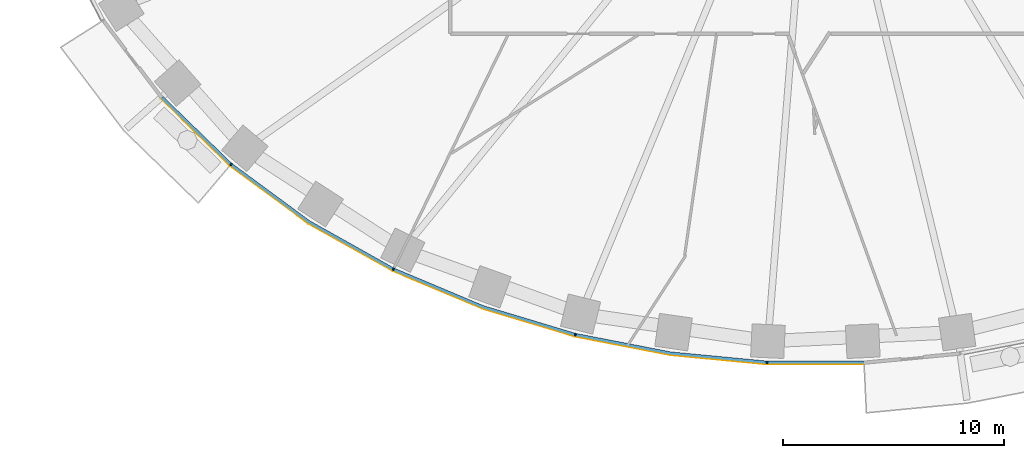
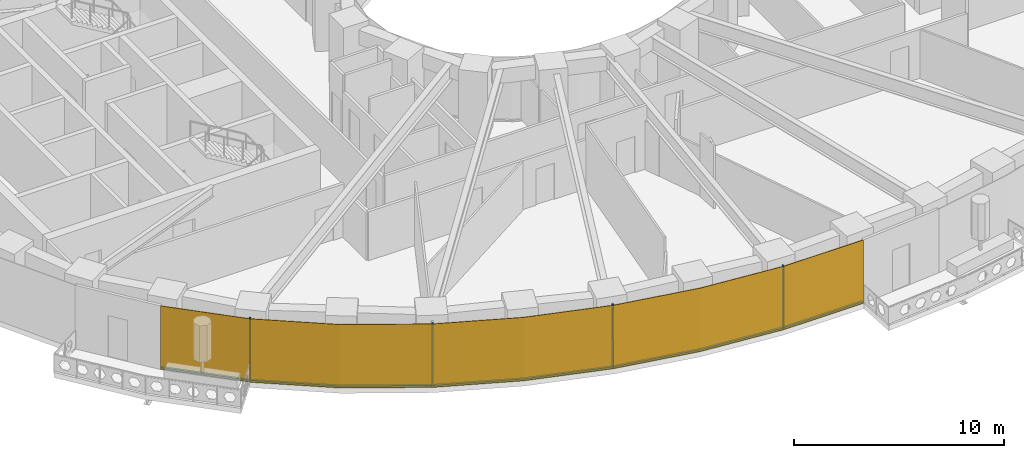
# One storey, part 8 of 16: 9 members, 1 curtain wall.
"""IFC4 building model written with IfcOpenShell, lengths in metres."""

from ifc_helpers import new_model, si_unit, direction, frame, origin, origin_2d, place, context, subcontext, project, spatial, polyline, rectangle, outline, extrude, material, layer, layer_set, material_profile, profile_set, type_object, element, aggregate, save


model = new_model("IFC4")

# Units and contexts
model_context = context("Model", 3, precision=1e-05, world=origin(), true_north=direction((0.0, 1.0)))
body_context = subcontext(model_context, "Body", "Model", "MODEL_VIEW")
ifc_project = project(units=[si_unit("LENGTHUNIT", "METRE"), si_unit("AREAUNIT", "SQUARE_METRE"), si_unit("VOLUMEUNIT", "CUBIC_METRE"), si_unit("PLANEANGLEUNIT", "RADIAN"), si_unit("MASSUNIT", "GRAM", prefix="KILO")], contexts=[model_context])

# Member
ifc_material_1 = material(Name="Aluminium 6063-T6 black anodised", Category="aluminium")
ifc_material_profile = material_profile(ifc_material_1, rectangle(XDim=0.1201171875, YDim=0.06005859375, at=origin_2d()), Name="120x60")
ifc_profile_set = profile_set([ifc_material_profile], Name="Aluminium 6063-T6 black anodised")
member_type_1 = type_object("IfcMemberType", Name="ENV-MULLION-A-120", PredefinedType="MULLION", material=ifc_profile_set)
site_placement = place(None, origin())
building_placement = place(site_placement, origin())
storey_placement = place(building_placement, frame((0.0, 0.0, 54.5)))
member_1_placement = place(storey_placement, frame((-26.403564453125, -18.9130859375, 0.0), z_axis=(0.0, 0.0, 1.0), x_axis=(0.646451313783, 0.762955240435, 0.0)))
member_1 = element("IfcMember", 1, at=member_1_placement, type_object=member_type_1, Name="Mullion A radial 29", PredefinedType="MULLION", context=body_context, shape_type="SweptSolid", body=[
    extrude(rectangle(XDim=0.1201171875, YDim=0.06005859375, at=origin_2d()), origin(), (0.0, 0.0, 1.0), 3.699951171875),
])

member_2_placement = place(storey_placement, frame((-19.06787109375, -23.6474609375, 0.0), z_axis=(0.0, 0.0, 1.0), x_axis=(0.439237769837, 0.898370848563, 0.0)))
member_2 = element("IfcMember", 2, at=member_2_placement, type_object=member_type_1, Name="Mullion A radial 31", PredefinedType="MULLION", context=body_context, shape_type="SweptSolid", body=[
    extrude(rectangle(XDim=0.1201171875, YDim=0.06005859375, at=origin_2d()), origin(), (0.0, 0.0, 1.0), 3.699951171875),
])

member_3_placement = place(storey_placement, frame((-10.84326171875, -26.60498046875, 0.0), z_axis=(0.0, 0.0, 1.0), x_axis=(0.239799081534, 0.970822538106, 0.0)))
member_3 = element("IfcMember", 3, at=member_3_placement, type_object=member_type_1, Name="Mullion A radial 33", PredefinedType="MULLION", context=body_context, shape_type="SweptSolid", body=[
    extrude(rectangle(XDim=0.1201171875, YDim=0.06005859375, at=origin_2d()), origin(), (0.0, 0.0, 1.0), 3.699951171875),
])

member_4_placement = place(storey_placement, frame((-2.188720703125, -27.856201171875, 0.0), z_axis=(0.0, 0.0, 1.0), x_axis=(0.047557873581, 0.998868484166, 0.0)))
member_4 = element("IfcMember", 4, at=member_4_placement, type_object=member_type_1, Name="Mullion A radial 35", PredefinedType="MULLION", context=body_context, shape_type="SweptSolid", body=[
    extrude(rectangle(XDim=0.1201171875, YDim=0.06005859375, at=origin_2d()), origin(), (0.0, 0.0, 1.0), 3.699951171875),
])

ifc_material_2 = material(Name="Aluminium 6063-T6 black anodised", Category="aluminium")
member_type_2 = type_object("IfcMemberType", Name="ENV-TRANSOM-A", PredefinedType="USERDEFINED", material=ifc_material_2)
member_5_placement = place(storey_placement, origin())
member_5 = element("IfcMember", 5, at=member_5_placement, type_object=member_type_2, Name="Transom A radial 28-29", ObjectType="TRANSOM", PredefinedType="USERDEFINED", context=body_context, shape_type="SweptSolid", body=[
    extrude(outline(polyline([(-29.569091796875, -15.9208984375), (-26.46240234375, -18.939208984375), (-26.384765625, -18.847412109375), (-29.47900390625, -15.841064453125), (-29.569091796875, -15.9208984375)])), origin(), (0.0, 0.0, 1.0), 0.10009765625),
])

member_6_placement = place(storey_placement, origin())
member_6 = element("IfcMember", 6, at=member_6_placement, type_object=member_type_2, Name="Transom A radial 29-31", ObjectType="TRANSOM", PredefinedType="USERDEFINED", context=body_context, shape_type="SweptSolid", body=[
    extrude(outline(polyline([(-26.419921875, -18.975341796875), (-22.9150390625, -21.556884765625), (-19.11865234375, -23.687744140625), (-19.06591796875, -23.57958984375), (-22.85009765625, -21.455810546875), (-26.342041015625, -18.883544921875), (-26.419921875, -18.975341796875)])), origin(), (0.0, 0.0, 1.0), 0.10009765625),
])

member_7_placement = place(storey_placement, origin())
member_7 = element("IfcMember", 7, at=member_7_placement, type_object=member_type_2, Name="Transom A radial 31-33", ObjectType="TRANSOM", PredefinedType="USERDEFINED", context=body_context, shape_type="SweptSolid", body=[
    extrude(outline(polyline([(-19.068359375, -23.71240234375), (-15.054443359375, -25.400146484375), (-10.884521484375, -26.655029296875), (-10.855712890625, -26.53857421875), (-15.013916015625, -25.287109375), (-19.015380859375, -23.604248046875), (-19.068359375, -23.71240234375)])), origin(), (0.0, 0.0, 1.0), 0.10009765625),
])

member_8_placement = place(storey_placement, origin())
member_8 = element("IfcMember", 8, at=member_8_placement, type_object=member_type_2, Name="Transom A radial 33-35", ObjectType="TRANSOM", PredefinedType="USERDEFINED", context=body_context, shape_type="SweptSolid", body=[
    extrude(outline(polyline([(-10.830078125, -26.66845703125), (-6.55517578125, -27.49951171875), (-2.219482421875, -27.913330078125), (-2.2138671875, -27.793212890625), (-6.537841796875, -27.380615234375), (-10.80126953125, -26.552001953125), (-10.830078125, -26.66845703125)])), origin(), (0.0, 0.0, 1.0), 0.10009765625),
])

member_9_placement = place(storey_placement, origin())
member_9 = element("IfcMember", 9, at=member_9_placement, type_object=member_type_2, Name="Transom A radial 35-36", ObjectType="TRANSOM", PredefinedType="USERDEFINED", context=body_context, shape_type="SweptSolid", body=[
    extrude(outline(polyline([(-2.163818359375, -27.916015625), (2.171630859375, -27.916015625), (2.166015625, -27.7958984375), (-2.157958984375, -27.7958984375), (-2.163818359375, -27.916015625)])), origin(), (0.0, 0.0, 1.0), 0.10009765625),
])

# Site, building, storey
site = spatial("IfcSite", under=ifc_project, at=site_placement, CompositionType="ELEMENT")
building = spatial("IfcBuilding", under=site, at=building_placement, Name="Noorbagh Ring Tower", CompositionType="ELEMENT")
storey = spatial("IfcBuildingStorey", under=building, at=storey_placement, Name="L11", CompositionType="ELEMENT", Elevation=54.5)

# Curtain wall
ifc_material_3 = material(Name="Glass dark tinted laminated", Category="glass")
ifc_layer = layer(ifc_material_3, 0.031982421875)
ifc_layer_set = layer_set([ifc_layer], Name="Glass dark tinted laminated")
curtain_wall_type = type_object("IfcCurtainWallType", Name="ENV-CW-A", PredefinedType="NOTDEFINED", material=ifc_layer_set)
curtain_wall_placement = place(storey_placement, origin())
curtain_wall = element("IfcCurtainWall", 10, at=curtain_wall_placement, inside=storey, type_object=curtain_wall_type, Name="Curtain wall A R28", PredefinedType="NOTDEFINED", context=body_context, shape_type="SweptSolid", body=[
    extrude(outline(polyline([(-29.59326171875, -15.942138671875), (-26.463134765625, -18.9833984375), (-22.9326171875, -21.583740234375), (-19.108154296875, -23.730224609375), (-15.065185546875, -25.430419921875), (-10.865234375, -26.6943359375), (-6.559814453125, -27.53125), (-2.193115234375, -27.947998046875), (2.173095703125, -27.947998046875), (2.171630859375, -27.916015625), (-2.191650390625, -27.916015625), (-6.55517578125, -27.49951171875), (-10.857666015625, -26.6630859375), (-15.054443359375, -25.400146484375), (-19.093994140625, -23.701416015625), (-22.9150390625, -21.556884765625), (-26.4423828125, -18.958740234375), (-29.569091796875, -15.9208984375), (-29.59326171875, -15.942138671875)])), origin(), (0.0, 0.0, 1.0), 3.699951171875),
])

aggregate(curtain_wall, [member_1, member_2, member_3, member_4, member_5, member_6, member_7, member_8, member_9])

save(model, "model.ifc")
